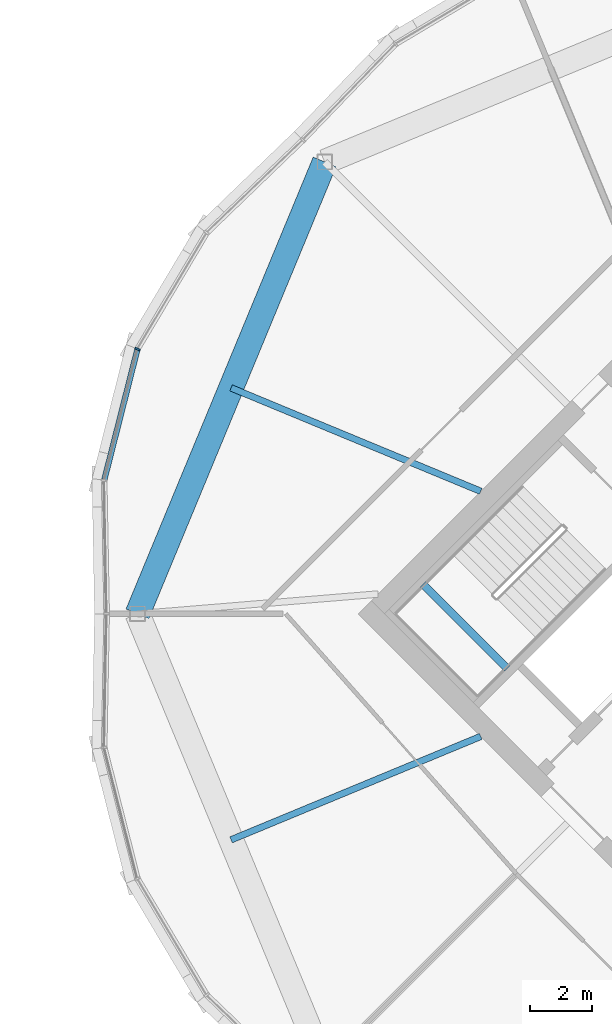
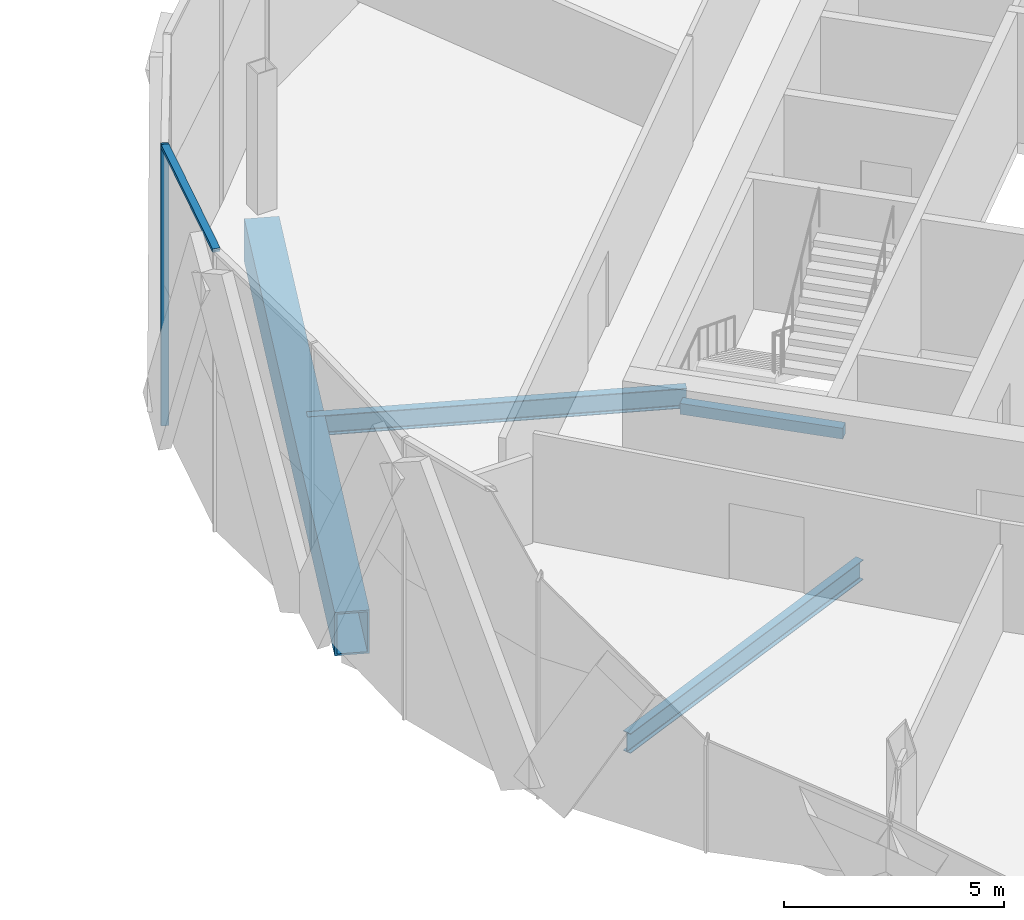
# One storey, part 11 of 27: 4 beams, 2 members, 1 element without a shape of its own.
"""IFC4 building model written with IfcOpenShell, lengths in metres."""

from ifc_helpers import new_model, si_unit, direction, frame, origin, origin_2d, place, context, subcontext, project, spatial, rectangle, hollow_rectangle, i_section, extrude, material, material_profile, profile_set, type_object, element, aggregate, save


model = new_model("IFC4")

# Units and contexts
model_context = context("Model", 3, precision=1e-05, world=origin(), true_north=direction((0.0, 1.0)))
body_context = subcontext(model_context, "Body", "Model", "MODEL_VIEW")
ifc_project = project(units=[si_unit("LENGTHUNIT", "METRE"), si_unit("AREAUNIT", "SQUARE_METRE"), si_unit("VOLUMEUNIT", "CUBIC_METRE"), si_unit("PLANEANGLEUNIT", "RADIAN"), si_unit("MASSUNIT", "GRAM", prefix="KILO")], contexts=[model_context])

# Site, building, storey
site_placement = place(None, origin())
site = spatial("IfcSite", under=ifc_project, at=site_placement, CompositionType="ELEMENT")
building_placement = place(site_placement, origin())
building = spatial("IfcBuilding", under=site, at=building_placement, Name="Ogive Gate Towers", CompositionType="ELEMENT")
storey_placement = place(building_placement, frame((0.0, 0.0, 189.0)))
storey = spatial("IfcBuildingStorey", under=building, at=storey_placement, Name="L45", CompositionType="ELEMENT", Elevation=189.0)

# Beams
ifc_material_1 = material(Name="Steel SM460", Category="steel")
ifc_material_profile_1 = material_profile(ifc_material_1, hollow_rectangle(XDim=0.800048828125, YDim=1.199951171875, WallThickness=0.050048828125, at=origin_2d()), Name="BX 1200x800x50")
ifc_profile_set_1 = profile_set([ifc_material_profile_1], Name="Steel SM460")
beam_type_1 = type_object("IfcBeamType", Name="Edge girder BX 1200x800x50", PredefinedType="BEAM", material=ifc_profile_set_1)
beam_1_placement = place(storey_placement, frame((21.490234375, 14.509765625, -0.89990234375), z_axis=(-0.38268953008, -0.923877006731, 0.0), x_axis=(0.923877006731, -0.38268953008, 0.0)))
element("IfcBeam", 1, at=beam_1_placement, inside=storey, type_object=beam_type_1, Name="T2/L45/SBM023", PredefinedType="BEAM", context=body_context, shape_type="SweptSolid", body=[
    extrude(hollow_rectangle(XDim=0.800048828125, YDim=1.199951171875, WallThickness=0.050048828125, at=origin_2d()), origin(), (0.0, 0.0, 1.0), 15.705322265625),
])
ifc_material_2 = material(Name="Concrete C40/50", Category="concrete")
ifc_material_profile_2 = material_profile(ifc_material_2, rectangle(XDim=0.25, YDim=0.300048828125, at=origin_2d()), Name="RC 250x300")
ifc_profile_set_2 = profile_set([ifc_material_profile_2], Name="Concrete C40/50")
beam_type_2 = type_object("IfcBeamType", Name="Landing bearer RC 250x300", PredefinedType="BEAM", material=ifc_profile_set_2)
beam_2_placement = place(storey_placement, frame((24.650390625, 0.9541015625, 1.60009765625), z_axis=(0.707106781187, -0.707106781187, 0.0), x_axis=(0.707106781187, 0.707106781187, 0.0)))
element("IfcBeam", 2, at=beam_2_placement, inside=storey, type_object=beam_type_2, Name="T2 L45 stair 1 landing bearer 1", PredefinedType="BEAM", context=body_context, shape_type="SweptSolid", body=[
    extrude(rectangle(XDim=0.25, YDim=0.300048828125, at=origin_2d()), origin(), (0.0, 0.0, 1.0), 3.824951171875),
])
ifc_material_3 = material(Name="Steel SM355", Category="steel")
ifc_material_profile_3 = material_profile(ifc_material_3, i_section(OverallWidth=0.2099609375, OverallDepth=0.550048828125, WebThickness=0.010986328125, FlangeThickness=0.01708984375, FilletRadius=0.02392578125, at=origin_2d()), Name="IPE 550")
ifc_profile_set_3 = profile_set([ifc_material_profile_3], Name="Steel SM355")
beam_type_3 = type_object("IfcBeamType", Name="Radial floor beam IPE 550", PredefinedType="BEAM", material=ifc_profile_set_3)
for number, where, z_axis, x_axis, name in (
    (3, (26.5, 3.93505859375, -0.574951171875), (-0.92388169199, 0.382678218882, 0.0), (-0.382678218882, -0.92388169199, 0.0), "T2/L45/SBM014"),
    (4, (26.5, -3.93505859375, -0.574951171875), (-0.92388169199, -0.382678218882, 0.0), (0.382678218882, -0.92388169199, 0.0), "T2/L45/SBM016"),
):
    element("IfcBeam", number, at=place(storey_placement, frame(where, z_axis=z_axis, x_axis=x_axis)), inside=storey, type_object=beam_type_3, Name=name, PredefinedType="BEAM", context=body_context, shape_type="SweptSolid", body=[
        extrude(i_section(OverallWidth=0.2099609375, OverallDepth=0.550048828125, WebThickness=0.010986328125, FlangeThickness=0.01708984375, FilletRadius=0.02392578125, at=origin_2d()), origin(), (0.0, 0.0, 1.0), 8.67529296875),
    ])

# Curtain wall, members
ifc_material_4 = material(Name="Pale metal aluminium", Category="aluminium")
curtain_wall_type = type_object("IfcCurtainWallType", Name="Tower unitised wall, high zone", PredefinedType="NOTDEFINED", material=ifc_material_4)
curtain_wall_placement = place(storey_placement, origin())
curtain_wall = element("IfcCurtainWall", 5, at=curtain_wall_placement, inside=storey, type_object=curtain_wall_type, Name="CW2 T2 ECW04", PredefinedType="NOTDEFINED")
ifc_material_profile_4 = material_profile(ifc_material_4, rectangle(XDim=0.179931640625, YDim=0.06005859375, at=origin_2d()), Name="60 x 180 aluminium box")
ifc_profile_set_4 = profile_set([ifc_material_profile_4], Name="Pale metal aluminium")
member_type_1 = type_object("IfcMemberType", Name="Tower unitised wall, high zone mullion 60 x 180", PredefinedType="MULLION", material=ifc_profile_set_4)
member_1_placement = place(storey_placement, frame((15.4794921875, 8.499755859375, -0.300048828125), z_axis=(0.0, 0.0, 1.0), x_axis=(-0.923879532511, 0.382683432365, 0.0)))
member_1 = element("IfcMember", 6, at=member_1_placement, type_object=member_type_1, Name="CW2 mullion", PredefinedType="MULLION", context=body_context, shape_type="SweptSolid", body=[
    extrude(rectangle(XDim=0.179931640625, YDim=0.06005859375, at=origin_2d()), origin(), (0.0, 0.0, 1.0), 7.800048828125),
])
ifc_material_profile_5 = material_profile(ifc_material_4, rectangle(XDim=0.179931640625, YDim=0.10009765625, at=origin_2d()), Name="100 x 180 aluminium box")
ifc_profile_set_5 = profile_set([ifc_material_profile_5], Name="Pale metal aluminium")
member_type_2 = type_object("IfcMemberType", Name="Tower unitised wall, high zone transom 100 x 180", PredefinedType="USERDEFINED", material=ifc_profile_set_5)
member_2_placement = place(storey_placement, frame((15.47265625, 8.47216796875, 7.449951171875), z_axis=(-0.245842336798, -0.969309829434, 0.0), x_axis=(0.969309829434, -0.245842336798, 0.0)))
member_2 = element("IfcMember", 7, at=member_2_placement, type_object=member_type_2, Name="CW2 transom", ObjectType="TRANSOM", PredefinedType="USERDEFINED", context=body_context, shape_type="SweptSolid", body=[
    extrude(rectangle(XDim=0.179931640625, YDim=0.10009765625, at=origin_2d()), origin(), (0.0, 0.0, 1.0), 4.2890625),
])
aggregate(curtain_wall, [member_1, member_2])

save(model, "model.ifc")
